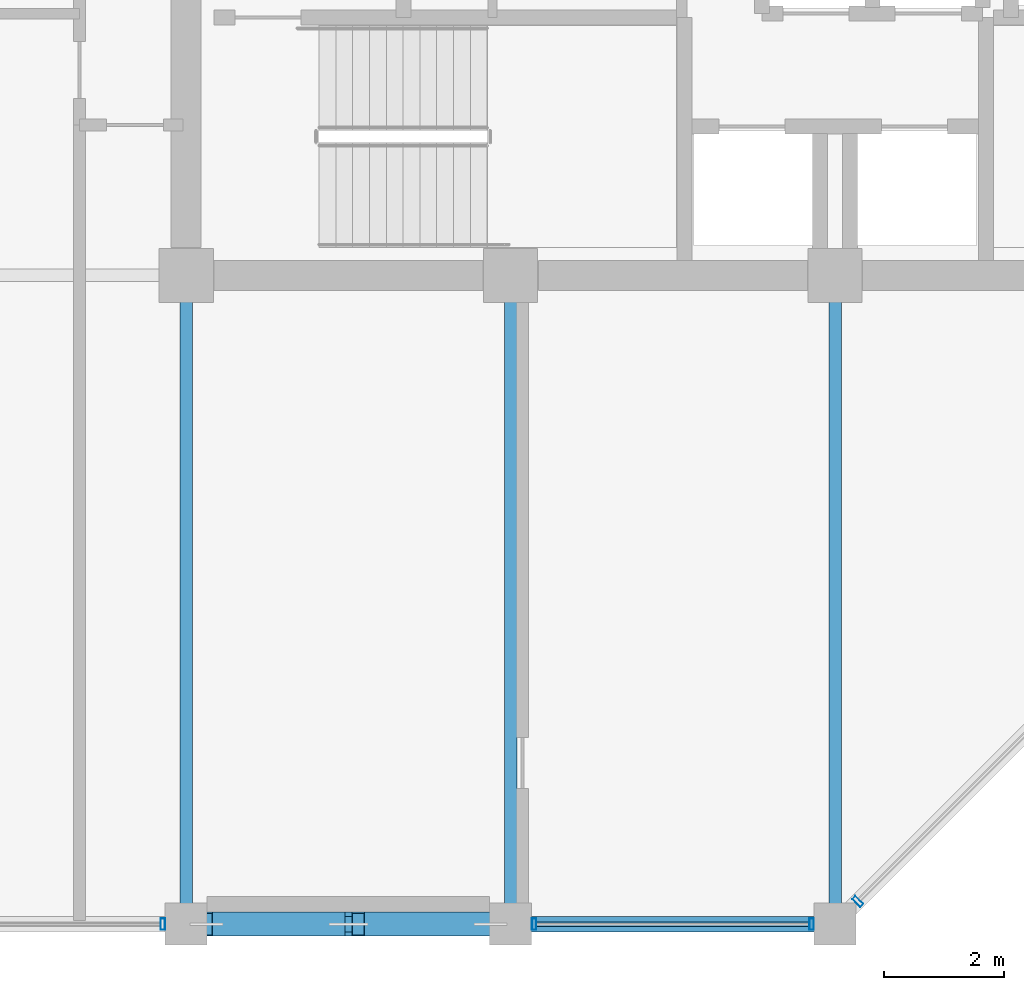
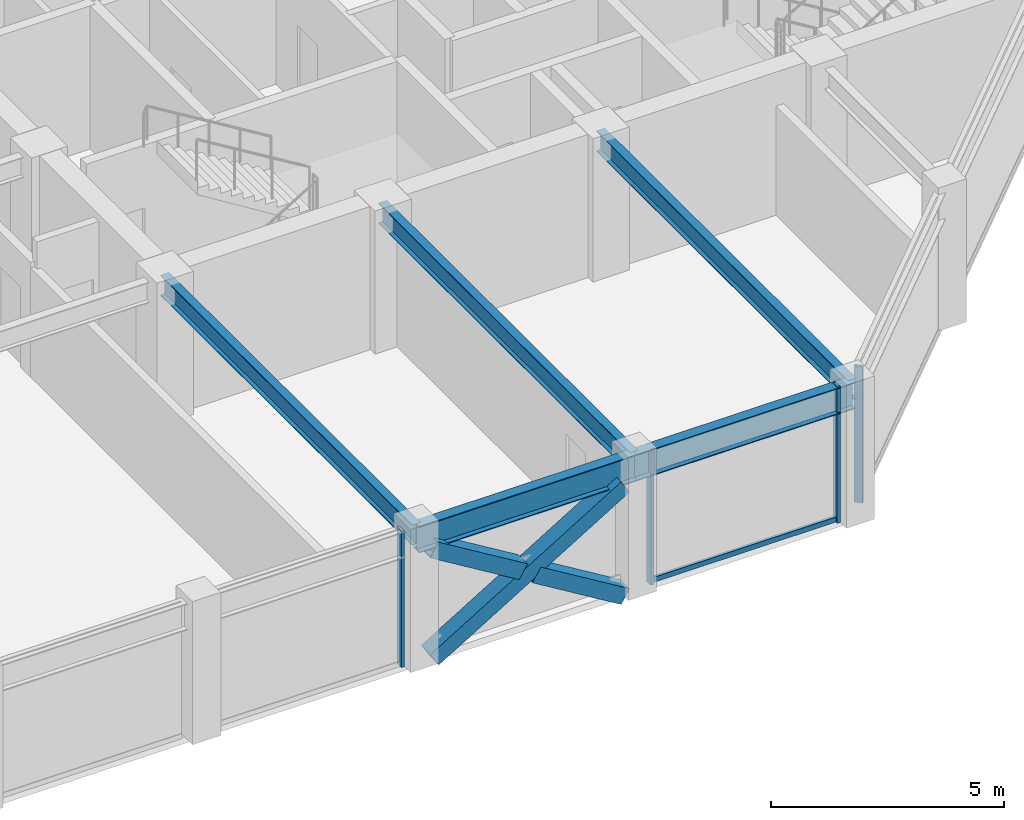
# One storey, part 4 of 31: 8 members, 5 beams, 3 elements without a shape of their own.
"""IFC4 building model written with IfcOpenShell, lengths in metres."""

from ifc_helpers import new_model, si_unit, direction, frame, origin, origin_2d, place, context, subcontext, project, spatial, hollow_rectangle, i_section, extrude, material, layer, layer_set, material_profile, profile_set, type_object, element, aggregate, save


model = new_model("IFC4")

# Units and contexts
model_context = context("Model", 3, precision=1e-05, world=origin(), true_north=direction((0.0, 1.0)))
body_context = subcontext(model_context, "Body", "Model", "MODEL_VIEW")
ifc_project = project(units=[si_unit("LENGTHUNIT", "METRE"), si_unit("AREAUNIT", "SQUARE_METRE"), si_unit("VOLUMEUNIT", "CUBIC_METRE"), si_unit("PLANEANGLEUNIT", "RADIAN"), si_unit("MASSUNIT", "GRAM", prefix="KILO")], contexts=[model_context])

# Site, building, storey
site_placement = place(None, origin())
site = spatial("IfcSite", under=ifc_project, at=site_placement, CompositionType="ELEMENT")
building_placement = place(site_placement, origin())
building = spatial("IfcBuilding", under=site, at=building_placement, Name="Surkhivell Harbour Commons", CompositionType="ELEMENT")
storey_placement = place(building_placement, frame((0.0, 0.0, 262.5)))
storey = spatial("IfcBuildingStorey", under=building, at=storey_placement, Name="L68", CompositionType="ELEMENT", Elevation=262.5)

# Beams
ifc_material_1 = material(Name="Steel S355", Category="steel")
ifc_material_profile_1 = material_profile(ifc_material_1, i_section(OverallWidth=0.2099609375, OverallDepth=0.537109375, WebThickness=0.0107421875, FlangeThickness=0.017333984375, at=origin_2d()), Name="UB533x210x101")
ifc_profile_set_1 = profile_set([ifc_material_profile_1], Name="Steel S355")
beam_type_1 = type_object("IfcBeamType", Name="BM-GRD-533B", PredefinedType="BEAM", material=ifc_profile_set_1)
for number, where, z_axis, x_axis, name in (
    (1, (-10.800048828125, -21.60009765625, 3.301513671875), (0.0, 1.0, 0.0), (-1.0, 0.0, 0.0), "L68 Floor Girder (-10.8,-21.6)"),
    (2, (-5.39990234375, -21.60009765625, 3.301513671875), (0.0, 1.0, 0.0), (-1.0, 0.0, 0.0), "L68 Floor Girder (-5.4,-21.6)"),
    (3, (0.0, -21.60009765625, 3.301513671875), (0.0, 1.0, 0.0), (-1.0, 0.0, 0.0), "L68 Floor Girder (0.0,-21.6)"),
):
    element("IfcBeam", number, at=place(storey_placement, frame(where, z_axis=z_axis, x_axis=x_axis)), inside=storey, type_object=beam_type_1, Name=name, PredefinedType="BEAM", context=body_context, shape_type="SweptSolid", body=[
        extrude(i_section(OverallWidth=0.2099609375, OverallDepth=0.537109375, WebThickness=0.0107421875, FlangeThickness=0.017333984375, at=origin_2d()), origin(), (0.0, 0.0, 1.0), 10.800048828125),
    ])
ifc_material_profile_2 = material_profile(ifc_material_1, i_section(OverallWidth=0.256103515625, OverallDepth=0.693115234375, WebThickness=0.014404296875, FlangeThickness=0.023681640625, at=origin_2d()), Name="UB686x254x170")
ifc_profile_set_2 = profile_set([ifc_material_profile_2], Name="Steel S355")
beam_type_2 = type_object("IfcBeamType", Name="BM-SPN-686", PredefinedType="SPANDREL", material=ifc_profile_set_2)
beam_1_placement = place(storey_placement, frame((-10.800048828125, -21.60009765625, 3.223388671875), z_axis=(1.0, 0.0, 0.0), x_axis=(0.0, 1.0, 0.0)))
element("IfcBeam", 4, at=beam_1_placement, inside=storey, type_object=beam_type_2, Name="L68 Tube Spandrel (-10.8,-21.6)", PredefinedType="SPANDREL", context=body_context, shape_type="SweptSolid", body=[
    extrude(i_section(OverallWidth=0.256103515625, OverallDepth=0.693115234375, WebThickness=0.014404296875, FlangeThickness=0.023681640625, at=origin_2d()), origin(), (0.0, 0.0, 1.0), 5.400146484375),
])
beam_2_placement = place(storey_placement, frame((-5.39990234375, -21.60009765625, 3.223388671875), z_axis=(1.0, 0.0, 0.0), x_axis=(0.0, 1.0, 0.0)))
element("IfcBeam", 5, at=beam_2_placement, inside=storey, type_object=beam_type_2, Name="L68 Tube Spandrel (-5.4,-21.6)", PredefinedType="SPANDREL", context=body_context, shape_type="SweptSolid", body=[
    extrude(i_section(OverallWidth=0.256103515625, OverallDepth=0.693115234375, WebThickness=0.014404296875, FlangeThickness=0.023681640625, at=origin_2d()), origin(), (0.0, 0.0, 1.0), 5.39990234375),
])

# Curtain wall, member
ifc_material_2 = material(Name="Anodised pale-metal aluminium and insulated glazing", Category="aluminium")
ifc_layer = layer(ifc_material_2, 0.175048828125)
ifc_layer_set = layer_set([ifc_layer], Name="Anodised pale-metal aluminium and insulated glazing")
curtain_wall_type = type_object("IfcCurtainWallType", Name="CW-SYS-Z4", PredefinedType="NOTDEFINED", material=ifc_layer_set)
curtain_wall_1_placement = place(storey_placement, origin())
curtain_wall_1 = element("IfcCurtainWall", 6, at=curtain_wall_1_placement, inside=storey, type_object=curtain_wall_type, Name="L68 Curtain Wall CW-L68-E00S1", PredefinedType="NOTDEFINED")
ifc_material_3 = material(Name="Anodised pale-metal aluminium alloy 6063-T6", Category="aluminium")
ifc_material_profile_3 = material_profile(ifc_material_3, hollow_rectangle(XDim=0.074951171875, YDim=0.18994140625, WallThickness=0.00390625, at=origin_2d()), Name="ALU-MULL-75x190")
ifc_profile_set_3 = profile_set([ifc_material_profile_3], Name="Anodised pale-metal aluminium alloy 6063-T6")
member_type_1 = type_object("IfcMemberType", Name="CWM-190", PredefinedType="MULLION", material=ifc_profile_set_3)
member_1_placement = place(storey_placement, frame((-11.189453125, -21.60009765625, 0.0), z_axis=(0.0, 0.0, 1.0), x_axis=(1.0, 0.0, 0.0)))
member_1 = element("IfcMember", 7, at=member_1_placement, type_object=member_type_1, Name="CW-Z4 mullion 3", PredefinedType="MULLION", context=body_context, shape_type="SweptSolid", body=[
    extrude(hollow_rectangle(XDim=0.074951171875, YDim=0.18994140625, WallThickness=0.00390625, at=origin_2d()), origin(), (0.0, 0.0, 1.0), 3.570068359375),
])
aggregate(curtain_wall_1, [member_1])

# Curtain wall, members
curtain_wall_2_placement = place(storey_placement, origin())
curtain_wall_2 = element("IfcCurtainWall", 8, at=curtain_wall_2_placement, inside=storey, type_object=curtain_wall_type, Name="L68 Curtain Wall CW-L68-E00S2", PredefinedType="NOTDEFINED")
member_2_placement = place(storey_placement, frame((-5.010498046875, -21.60009765625, 0.0), z_axis=(0.0, 0.0, 1.0), x_axis=(1.0, 0.0, 0.0)))
member_2 = element("IfcMember", 9, at=member_2_placement, type_object=member_type_1, Name="CW-Z4 mullion 1", PredefinedType="MULLION", context=body_context, shape_type="SweptSolid", body=[
    extrude(hollow_rectangle(XDim=0.074951171875, YDim=0.18994140625, WallThickness=0.00390625, at=origin_2d()), origin(), (0.0, 0.0, 1.0), 3.570068359375),
])
member_3_placement = place(storey_placement, frame((-0.389404296875, -21.60009765625, 0.0), z_axis=(0.0, 0.0, 1.0), x_axis=(1.0, 0.0, 0.0)))
member_3 = element("IfcMember", 10, at=member_3_placement, type_object=member_type_1, Name="CW-Z4 mullion 2", PredefinedType="MULLION", context=body_context, shape_type="SweptSolid", body=[
    extrude(hollow_rectangle(XDim=0.074951171875, YDim=0.18994140625, WallThickness=0.00390625, at=origin_2d()), origin(), (0.0, 0.0, 1.0), 3.570068359375),
])

# Curtain wall, member
curtain_wall_3_placement = place(storey_placement, origin())
curtain_wall_3 = element("IfcCurtainWall", 11, at=curtain_wall_3_placement, inside=storey, type_object=curtain_wall_type, Name="L68 Curtain Wall CW-L68-E01", PredefinedType="NOTDEFINED")
member_4_placement = place(storey_placement, frame((0.378173828125, -21.221923828125, 0.0), z_axis=(0.0, 0.0, 1.0), x_axis=(0.707106781187, 0.707106781187, 0.0)))
member_4 = element("IfcMember", 12, at=member_4_placement, type_object=member_type_1, Name="CW-Z4 mullion 1", PredefinedType="MULLION", context=body_context, shape_type="SweptSolid", body=[
    extrude(hollow_rectangle(XDim=0.074951171875, YDim=0.18994140625, WallThickness=0.00390625, at=origin_2d()), origin(), (0.0, 0.0, 1.0), 3.570068359375),
])
aggregate(curtain_wall_3, [member_4])

# Member
ifc_material_4 = material(Name="Champagne anodised aluminium alloy 6063-T6", Category="aluminium")
ifc_material_profile_4 = material_profile(ifc_material_4, hollow_rectangle(XDim=0.070068359375, YDim=0.1298828125, WallThickness=0.00341796875, at=origin_2d()), Name="ALU-TRAN-70x130")
ifc_profile_set_4 = profile_set([ifc_material_profile_4], Name="Champagne anodised aluminium alloy 6063-T6")
member_type_2 = type_object("IfcMemberType", Name="CWT-130", PredefinedType="USERDEFINED", material=ifc_profile_set_4)
member_5_placement = place(storey_placement, frame((-4.972900390625, -21.60009765625, 0.06494140625), z_axis=(1.0, 0.0, 0.0), x_axis=(0.0, 1.0, 0.0)))
member_5 = element("IfcMember", 13, at=member_5_placement, type_object=member_type_2, Name="CW-Z4 transom 1.1", ObjectType="TRANSOM", PredefinedType="USERDEFINED", context=body_context, shape_type="SweptSolid", body=[
    extrude(hollow_rectangle(XDim=0.070068359375, YDim=0.1298828125, WallThickness=0.00341796875, at=origin_2d()), origin(), (0.0, 0.0, 1.0), 4.5458984375),
])

aggregate(curtain_wall_2, [member_2, member_3, member_5])

# Members
ifc_material_5 = material(Name="Steel S460", Category="steel")
ifc_material_profile_5 = material_profile(ifc_material_5, hollow_rectangle(XDim=0.39990234375, YDim=0.39990234375, WallThickness=0.02001953125, at=origin_2d()), Name="SHS400x400x20")
ifc_profile_set_5 = profile_set([ifc_material_profile_5], Name="Steel S460")
member_type_3 = type_object("IfcMemberType", Name="MEM-BRC-SHS400", PredefinedType="BRACE", material=ifc_profile_set_5)
member_6_placement = place(storey_placement, frame((-10.465087890625, -21.60009765625, 0.008056640625), z_axis=(0.854685454322, 0.0, 0.519146197299), x_axis=(0.0, 1.0, 0.0)))
element("IfcMember", 14, at=member_6_placement, inside=storey, type_object=member_type_3, Name="L68 Perimeter Mega-Brace MB- 07", PredefinedType="BRACE", context=body_context, shape_type="SweptSolid", body=[
    extrude(hollow_rectangle(XDim=0.39990234375, YDim=0.39990234375, WallThickness=0.02001953125, at=origin_2d()), origin(), (0.0, 0.0, 1.0), 5.5341796875),
])
member_7_placement = place(storey_placement, frame((-5.735107421875, -21.60009765625, 0.008056640625), z_axis=(-0.854694361898, 0.0, 0.519131532215), x_axis=(0.0, -1.0, 0.0)))
element("IfcMember", 15, at=member_7_placement, inside=storey, type_object=member_type_3, Name="L68 Perimeter Mega-Brace MB- 08", PredefinedType="BRACE", context=body_context, shape_type="SweptSolid", body=[
    extrude(hollow_rectangle(XDim=0.39990234375, YDim=0.39990234375, WallThickness=0.02001953125, at=origin_2d()), origin(), (0.0, 0.0, 1.0), 2.57470703125),
])
member_8_placement = place(storey_placement, frame((-8.26416015625, -21.60009765625, 1.544189453125), z_axis=(-0.854677846108, 0.0, 0.519158722716), x_axis=(0.0, -1.0, 0.0)))
element("IfcMember", 16, at=member_8_placement, inside=storey, type_object=member_type_3, Name="L68 Perimeter Mega-Brace MB- 09", PredefinedType="BRACE", context=body_context, shape_type="SweptSolid", body=[
    extrude(hollow_rectangle(XDim=0.39990234375, YDim=0.39990234375, WallThickness=0.02001953125, at=origin_2d()), origin(), (0.0, 0.0, 1.0), 2.5751953125),
])

save(model, "model.ifc")
